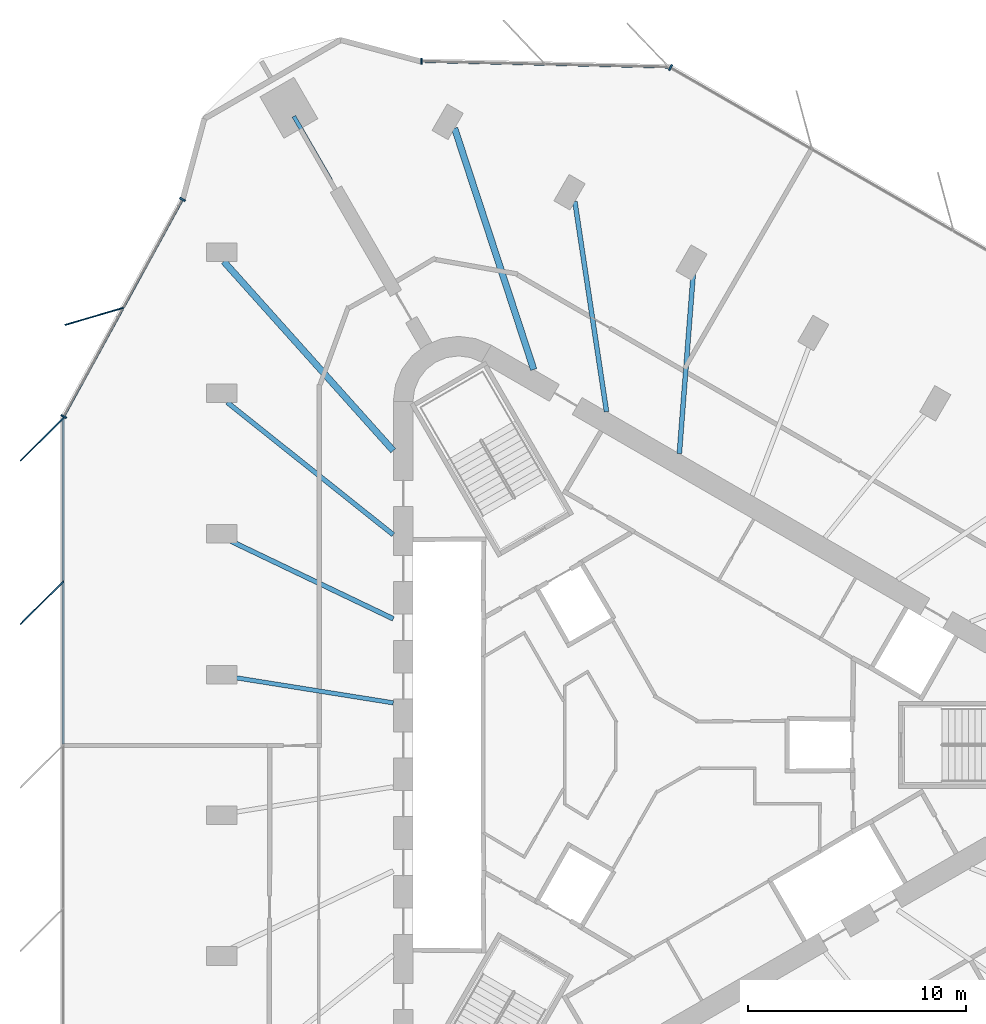
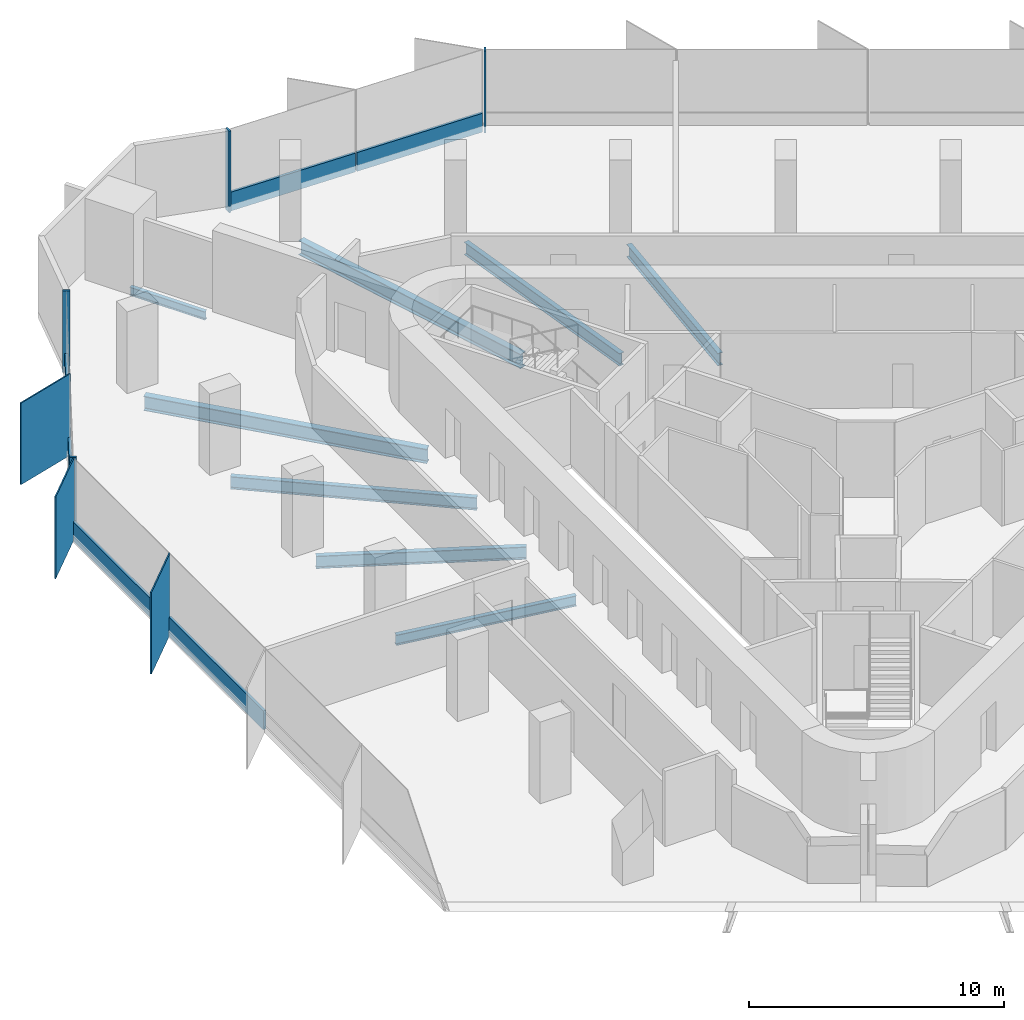
# One storey, part 4 of 12: 13 members, 8 beams, 4 elements without a shape of their own.
"""IFC4 building model written with IfcOpenShell, lengths in metres."""

from ifc_helpers import new_model, si_unit, direction, frame, origin, origin_2d, place, context, subcontext, project, spatial, rectangle, i_section, extrude, material, material_profile, profile_set, type_object, element, aggregate, save


model = new_model("IFC4")

# Units and contexts
model_context = context("Model", 3, precision=1e-05, world=origin(), true_north=direction((0.0, 1.0)))
body_context = subcontext(model_context, "Body", "Model", "MODEL_VIEW")
ifc_project = project(units=[si_unit("LENGTHUNIT", "METRE"), si_unit("AREAUNIT", "SQUARE_METRE"), si_unit("VOLUMEUNIT", "CUBIC_METRE"), si_unit("PLANEANGLEUNIT", "RADIAN"), si_unit("MASSUNIT", "GRAM", prefix="KILO")], contexts=[model_context])

# Site, building, storey
site_placement = place(None, origin())
site = spatial("IfcSite", under=ifc_project, at=site_placement, CompositionType="ELEMENT")
building_placement = place(site_placement, origin())
building = spatial("IfcBuilding", under=site, at=building_placement, Name="Tanit Gate Tower", CompositionType="ELEMENT")
storey_placement = place(building_placement, frame((0.0, 0.0, 333.800048828125)))
storey = spatial("IfcBuildingStorey", under=building, at=storey_placement, Name="L75", CompositionType="ELEMENT", Elevation=333.800048828125)

# Curtain wall, member
ifc_material_1 = material(Name="Aluminium bronze anodised and glass", Category="aluminium")
curtain_wall_type = type_object("IfcCurtainWallType", Name="Curtain wall typical high", PredefinedType="NOTDEFINED", material=ifc_material_1)
curtain_wall_1_placement = place(storey_placement, origin())
curtain_wall_1 = element("IfcCurtainWall", 1, at=curtain_wall_1_placement, inside=storey, type_object=curtain_wall_type, Name="Curtain wall L75 W1", PredefinedType="NOTDEFINED")
ifc_material_2 = material(Name="Aluminium bronze anodised", Category="aluminium")
ifc_material_profile_1 = material_profile(ifc_material_2, rectangle(XDim=2.800048828125, YDim=0.055908203125, at=origin_2d()), Name="56x2800 bronze fin mullion")
ifc_profile_set_1 = profile_set([ifc_material_profile_1], Name="Aluminium bronze anodised")
member_type_1 = type_object("IfcMemberType", Name="FIN MULLION 56x2800 bronze", PredefinedType="MULLION", material=ifc_profile_set_1)
member_1_placement = place(storey_placement, frame((-25.835693359375, 19.67919921875, -0.300048828125), z_axis=(0.0, 0.0, 1.0), x_axis=(0.959706253462, 0.281005172666, 0.0)))
member_1 = element("IfcMember", 2, at=member_1_placement, type_object=member_type_1, Name="Fin mullion L75 W1.2", PredefinedType="MULLION", context=body_context, shape_type="SweptSolid", body=[
    extrude(rectangle(XDim=2.800048828125, YDim=0.055908203125, at=origin_2d()), origin(), (0.0, 0.0, 1.0), 3.89990234375),
])

# Curtain wall, members
curtain_wall_2_placement = place(storey_placement, origin())
curtain_wall_2 = element("IfcCurtainWall", 3, at=curtain_wall_2_placement, inside=storey, type_object=curtain_wall_type, Name="Curtain wall L75 W2", PredefinedType="NOTDEFINED")
member_2_placement = place(storey_placement, frame((-28.232666015625, 14.0322265625, -0.300048828125), z_axis=(0.0, 0.0, 1.0), x_axis=(0.707155809403, 0.707057749571, 0.0)))
member_2 = element("IfcMember", 4, at=member_2_placement, type_object=member_type_1, Name="Fin mullion L75 W2.1", PredefinedType="MULLION", context=body_context, shape_type="SweptSolid", body=[
    extrude(rectangle(XDim=2.800048828125, YDim=0.055908203125, at=origin_2d()), origin(), (0.0, 0.0, 1.0), 3.89990234375),
])
member_3_placement = place(storey_placement, frame((-28.233154296875, 6.528076171875, -0.300048828125), z_axis=(0.0, 0.0, 1.0), x_axis=(0.707155809403, 0.707057749571, 0.0)))
member_3 = element("IfcMember", 5, at=member_3_placement, type_object=member_type_1, Name="Fin mullion L75 W2.2", PredefinedType="MULLION", context=body_context, shape_type="SweptSolid", body=[
    extrude(rectangle(XDim=2.800048828125, YDim=0.055908203125, at=origin_2d()), origin(), (0.0, 0.0, 1.0), 3.89990234375),
])

# Curtain wall, member
curtain_wall_3_placement = place(storey_placement, origin())
curtain_wall_3 = element("IfcCurtainWall", 6, at=curtain_wall_3_placement, inside=storey, type_object=curtain_wall_type, Name="Curtain wall L75 NE2", PredefinedType="NOTDEFINED")
ifc_material_3 = material(Name="Aluminium bronze anodised", Category="aluminium")
ifc_material_profile_2 = material_profile(ifc_material_3, rectangle(XDim=0.280029296875, YDim=0.080078125, at=origin_2d()), Name="80x280 bronze mullion")
ifc_profile_set_2 = profile_set([ifc_material_profile_2], Name="Aluminium bronze anodised")
member_type_2 = type_object("IfcMemberType", Name="Mullion 80x280 typical high", PredefinedType="MULLION", material=ifc_profile_set_2)
member_4_placement = place(storey_placement, frame((0.632080078125, 31.11083984375, -0.300048828125), z_axis=(0.0, 0.0, 1.0), x_axis=(-0.500060047936, -0.865990732317, 0.0)))
member_4 = element("IfcMember", 7, at=member_4_placement, type_object=member_type_2, Name="Mullion L75 NE2.5", PredefinedType="MULLION", context=body_context, shape_type="SweptSolid", body=[
    extrude(rectangle(XDim=0.280029296875, YDim=0.080078125, at=origin_2d()), origin(), (0.0, 0.0, 1.0), 3.89990234375),
])
aggregate(curtain_wall_3, [member_4])

curtain_wall_4_placement = place(storey_placement, origin())
curtain_wall_4 = element("IfcCurtainWall", 8, at=curtain_wall_4_placement, inside=storey, type_object=curtain_wall_type, Name="Curtain wall L75 NE3", PredefinedType="NOTDEFINED")
member_5_placement = place(storey_placement, frame((-10.802490234375, 31.3916015625, -0.300048828125), z_axis=(0.0, 0.0, 1.0), x_axis=(-0.022879847229, -0.999738222032, 0.0)))
member_5 = element("IfcMember", 9, at=member_5_placement, type_object=member_type_2, Name="Mullion L75 NE3.3", PredefinedType="MULLION", context=body_context, shape_type="SweptSolid", body=[
    extrude(rectangle(XDim=0.280029296875, YDim=0.080078125, at=origin_2d()), origin(), (0.0, 0.0, 1.0), 3.89990234375),
])

# Member
member_6_placement = place(storey_placement, frame((-21.78466796875, 25.051025390625, -0.300048828125), z_axis=(0.0, 0.0, 1.0), x_axis=(0.877315462911, -0.47991413663, 0.0)))
member_6 = element("IfcMember", 10, at=member_6_placement, type_object=member_type_2, Name="Mullion L75 W1.1", PredefinedType="MULLION", context=body_context, shape_type="SweptSolid", body=[
    extrude(rectangle(XDim=0.280029296875, YDim=0.080078125, at=origin_2d()), origin(), (0.0, 0.0, 1.0), 3.89990234375),
])

member_7_placement = place(storey_placement, frame((-27.237548828125, 15.0830078125, -0.300048828125), z_axis=(0.0, 0.0, 1.0), x_axis=(0.877315462911, -0.47991413663, 0.0)))
member_7 = element("IfcMember", 11, at=member_7_placement, type_object=member_type_2, Name="Mullion L75 W1.3", PredefinedType="MULLION", context=body_context, shape_type="SweptSolid", body=[
    extrude(rectangle(XDim=0.280029296875, YDim=0.080078125, at=origin_2d()), origin(), (0.0, 0.0, 1.0), 3.89990234375),
])

# Beams
ifc_material_4 = material(Name="Steel S355", Category="steel")
ifc_material_profile_3 = material_profile(ifc_material_4, i_section(OverallWidth=0.300048828125, OverallDepth=0.68994140625, WebThickness=0.014404296875, FlangeThickness=0.027099609375, FilletRadius=0.027099609375, at=origin_2d()), Name="HEA 700")
ifc_profile_set_3 = profile_set([ifc_material_profile_3], Name="Steel S355")
beam_type_1 = type_object("IfcBeamType", Name="RADIAL GIRDER HEA 700 S355", PredefinedType="BEAM", material=ifc_profile_set_3)
beam_1_placement = place(storey_placement, frame((-9.283203125, 28.318359375, -0.64501953125), z_axis=(0.311519991774, -0.950239598588, 0.0), x_axis=(0.950239598588, 0.311519991774, 0.0)))
element("IfcBeam", 12, at=beam_1_placement, inside=storey, type_object=beam_type_1, Name="RADIAL GIRDER", PredefinedType="BEAM", context=body_context, shape_type="SweptSolid", body=[
    extrude(i_section(OverallWidth=0.300048828125, OverallDepth=0.68994140625, WebThickness=0.014404296875, FlangeThickness=0.027099609375, FilletRadius=0.027099609375, at=origin_2d()), origin(), (0.0, 0.0, 1.0), 11.662353515625),
])
beam_2_placement = place(storey_placement, frame((-19.8828125, 22.198486328125, -0.64501953125), z_axis=(0.667183957843, -0.744892989896, 0.0), x_axis=(0.744892989896, 0.667183957843, 0.0)))
element("IfcBeam", 13, at=beam_2_placement, inside=storey, type_object=beam_type_1, Name="RADIAL GIRDER", PredefinedType="BEAM", context=body_context, shape_type="SweptSolid", body=[
    extrude(i_section(OverallWidth=0.300048828125, OverallDepth=0.68994140625, WebThickness=0.014404296875, FlangeThickness=0.027099609375, FilletRadius=0.027099609375, at=origin_2d()), origin(), (0.0, 0.0, 1.0), 11.662109375),
])
ifc_material_5 = material(Name="Steel S355", Category="steel")
ifc_material_profile_4 = material_profile(ifc_material_5, i_section(OverallWidth=0.179931640625, OverallDepth=0.39990234375, WebThickness=0.008544921875, FlangeThickness=0.013427734375, FilletRadius=0.02099609375, at=origin_2d()), Name="IPE 400")
ifc_profile_set_4 = profile_set([ifc_material_profile_4], Name="Steel S355")
beam_type_2 = type_object("IfcBeamType", Name="RADIAL GIRDER IPE 400 S355", PredefinedType="BEAM", material=ifc_profile_set_4)
beam_3_placement = place(storey_placement, frame((-16.66748046875, 28.868896484375, -0.5), z_axis=(0.500041741429, -0.866001303018, 0.0), x_axis=(0.866001303018, 0.500041741429, 0.0)))
element("IfcBeam", 14, at=beam_3_placement, inside=storey, type_object=beam_type_2, Name="RADIAL GIRDER", PredefinedType="BEAM", context=body_context, shape_type="SweptSolid", body=[
    extrude(i_section(OverallWidth=0.179931640625, OverallDepth=0.39990234375, WebThickness=0.008544921875, FlangeThickness=0.013427734375, FilletRadius=0.02099609375, at=origin_2d()), origin(), (0.0, 0.0, 1.0), 3.397705078125),
])
ifc_material_6 = material(Name="Steel S355", Category="steel")
ifc_material_profile_5 = material_profile(ifc_material_6, i_section(OverallWidth=0.199951171875, OverallDepth=0.5, WebThickness=0.01025390625, FlangeThickness=0.01611328125, FilletRadius=0.02099609375, at=origin_2d()), Name="IPE 500")
ifc_profile_set_5 = profile_set([ifc_material_profile_5], Name="Steel S355")
beam_type_3 = type_object("IfcBeamType", Name="RADIAL GIRDER IPE 500 S355", PredefinedType="BEAM", material=ifc_profile_set_5)
beam_4_placement = place(storey_placement, frame((-19.563720703125, 3.120361328125, -0.550048828125), z_axis=(0.987516531299, -0.157515397379, 0.0), x_axis=(0.157515397379, 0.987516531299, 0.0)))
element("IfcBeam", 15, at=beam_4_placement, inside=storey, type_object=beam_type_3, Name="RADIAL GIRDER", PredefinedType="BEAM", context=body_context, shape_type="SweptSolid", body=[
    extrude(i_section(OverallWidth=0.199951171875, OverallDepth=0.5, WebThickness=0.01025390625, FlangeThickness=0.01611328125, FilletRadius=0.02099609375, at=origin_2d()), origin(), (0.0, 0.0, 1.0), 7.555908203125),
])
ifc_material_7 = material(Name="Steel S355", Category="steel")
ifc_material_profile_6 = material_profile(ifc_material_7, i_section(OverallWidth=0.219970703125, OverallDepth=0.60009765625, WebThickness=0.011962890625, FlangeThickness=0.01904296875, FilletRadius=0.02392578125, at=origin_2d()), Name="IPE 600")
ifc_profile_set_6 = profile_set([ifc_material_profile_6], Name="Steel S355")
beam_type_4 = type_object("IfcBeamType", Name="RADIAL GIRDER IPE 600 S355", PredefinedType="BEAM", material=ifc_profile_set_6)
beam_5_placement = place(storey_placement, frame((1.675048828125, 21.623046875, -0.60009765625), z_axis=(-0.077240429266, -0.997012495452, 0.0), x_axis=(0.997012495452, -0.077240429266, 0.0)))
element("IfcBeam", 16, at=beam_5_placement, inside=storey, type_object=beam_type_4, Name="RADIAL GIRDER", PredefinedType="BEAM", context=body_context, shape_type="SweptSolid", body=[
    extrude(i_section(OverallWidth=0.219970703125, OverallDepth=0.60009765625, WebThickness=0.011962890625, FlangeThickness=0.01904296875, FilletRadius=0.02392578125, at=origin_2d()), origin(), (0.0, 0.0, 1.0), 8.271728515625),
])
beam_6_placement = place(storey_placement, frame((-3.76123046875, 24.95458984375, -0.60009765625), z_axis=(0.1490500566, -0.988829651976, 0.0), x_axis=(0.988829651976, 0.1490500566, 0.0)))
element("IfcBeam", 17, at=beam_6_placement, inside=storey, type_object=beam_type_4, Name="RADIAL GIRDER", PredefinedType="BEAM", context=body_context, shape_type="SweptSolid", body=[
    extrude(i_section(OverallWidth=0.219970703125, OverallDepth=0.60009765625, WebThickness=0.011962890625, FlangeThickness=0.01904296875, FilletRadius=0.02392578125, at=origin_2d()), origin(), (0.0, 0.0, 1.0), 9.75732421875),
])
beam_7_placement = place(storey_placement, frame((-19.730712890625, 15.734619140625, -0.60009765625), z_axis=(0.781827225561, -0.623495139814, 0.0), x_axis=(0.623495139814, 0.781827225561, 0.0)))
element("IfcBeam", 18, at=beam_7_placement, inside=storey, type_object=beam_type_4, Name="RADIAL GIRDER", PredefinedType="BEAM", context=body_context, shape_type="SweptSolid", body=[
    extrude(i_section(OverallWidth=0.219970703125, OverallDepth=0.60009765625, WebThickness=0.011962890625, FlangeThickness=0.01904296875, FilletRadius=0.02392578125, at=origin_2d()), origin(), (0.0, 0.0, 1.0), 9.757568359375),
])
beam_8_placement = place(storey_placement, frame((-19.563720703125, 9.36083984375, -0.60009765625), z_axis=(0.902054789369, -0.431621543688, 0.0), x_axis=(0.431621543688, 0.902054789369, 0.0)))
element("IfcBeam", 19, at=beam_8_placement, inside=storey, type_object=beam_type_4, Name="RADIAL GIRDER", PredefinedType="BEAM", context=body_context, shape_type="SweptSolid", body=[
    extrude(i_section(OverallWidth=0.219970703125, OverallDepth=0.60009765625, WebThickness=0.011962890625, FlangeThickness=0.01904296875, FilletRadius=0.02392578125, at=origin_2d()), origin(), (0.0, 0.0, 1.0), 8.27197265625),
])

# Member
ifc_material_8 = material(Name="Aluminium bronze anodised", Category="aluminium")
ifc_material_profile_7 = material_profile(ifc_material_8, rectangle(XDim=0.1201171875, YDim=0.89990234375, at=origin_2d()), Name="120x900 bronze transom")
ifc_profile_set_7 = profile_set([ifc_material_profile_7], Name="Aluminium bronze anodised")
member_type_3 = type_object("IfcMemberType", Name="Transom 120x900 typical high", PredefinedType="USERDEFINED", material=ifc_profile_set_7)
member_8_placement = place(storey_placement, frame((0.517333984375, 31.132568359375, 0.14990234375), z_axis=(-0.999738154702, 0.022882788997, 0.0), x_axis=(-0.022882788997, -0.999738154702, 0.0)))
member_8 = element("IfcMember", 20, at=member_8_placement, type_object=member_type_3, Name="Transom L75 NE3.1", ObjectType="TRANSOM", PredefinedType="USERDEFINED", context=body_context, shape_type="SweptSolid", body=[
    extrude(rectangle(XDim=0.1201171875, YDim=0.89990234375, at=origin_2d()), origin(), (0.0, 0.0, 1.0), 5.601318359375),
])

member_9_placement = place(storey_placement, frame((-5.16259765625, 31.2626953125, 0.14990234375), z_axis=(-0.999738154702, 0.022882788997, 0.0), x_axis=(-0.022882788997, -0.999738154702, 0.0)))
member_9 = element("IfcMember", 21, at=member_9_placement, type_object=member_type_3, Name="Transom L75 NE3.2", ObjectType="TRANSOM", PredefinedType="USERDEFINED", context=body_context, shape_type="SweptSolid", body=[
    extrude(rectangle(XDim=0.1201171875, YDim=0.89990234375, at=origin_2d()), origin(), (0.0, 0.0, 1.0), 5.601318359375),
])

aggregate(curtain_wall_4, [member_5, member_8, member_9])

member_10_placement = place(storey_placement, frame((-21.803955078125, 25.01611328125, 0.14990234375), z_axis=(-0.47989622135, -0.877325262792, 0.0), x_axis=(0.877325262792, -0.47989622135, 0.0)))
member_10 = element("IfcMember", 22, at=member_10_placement, type_object=member_type_3, Name="Transom L75 W1.1", ObjectType="TRANSOM", PredefinedType="USERDEFINED", context=body_context, shape_type="SweptSolid", body=[
    extrude(rectangle(XDim=0.1201171875, YDim=0.89990234375, at=origin_2d()), origin(), (0.0, 0.0, 1.0), 5.60107421875),
])

member_11_placement = place(storey_placement, frame((-24.5302734375, 20.031982421875, 0.14990234375), z_axis=(-0.479914573296, -0.877315224044, 0.0), x_axis=(0.877315224044, -0.479914573296, 0.0)))
member_11 = element("IfcMember", 23, at=member_11_placement, type_object=member_type_3, Name="Transom L75 W1.2", ObjectType="TRANSOM", PredefinedType="USERDEFINED", context=body_context, shape_type="SweptSolid", body=[
    extrude(rectangle(XDim=0.1201171875, YDim=0.89990234375, at=origin_2d()), origin(), (0.0, 0.0, 1.0), 5.60107421875),
])

aggregate(curtain_wall_1, [member_6, member_1, member_7, member_10, member_11])

member_12_placement = place(storey_placement, frame((-27.256591796875, 14.968017578125, 0.14990234375), z_axis=(-6.5770002e-05, -0.999999997837, 0.0), x_axis=(0.999999997837, -6.5770002e-05, 0.0)))
member_12 = element("IfcMember", 24, at=member_12_placement, type_object=member_type_3, Name="Transom L75 W2.1", ObjectType="TRANSOM", PredefinedType="USERDEFINED", context=body_context, shape_type="SweptSolid", body=[
    extrude(rectangle(XDim=0.1201171875, YDim=0.89990234375, at=origin_2d()), origin(), (0.0, 0.0, 1.0), 7.424072265625),
])

member_13_placement = place(storey_placement, frame((-27.257080078125, 7.464111328125, 0.14990234375), z_axis=(-9.8655003e-05, -0.999999995134, 0.0), x_axis=(0.999999995134, -9.8655003e-05, 0.0)))
member_13 = element("IfcMember", 25, at=member_13_placement, type_object=member_type_3, Name="Transom L75 W2.2", ObjectType="TRANSOM", PredefinedType="USERDEFINED", context=body_context, shape_type="SweptSolid", body=[
    extrude(rectangle(XDim=0.1201171875, YDim=0.89990234375, at=origin_2d()), origin(), (0.0, 0.0, 1.0), 7.424072265625),
])

aggregate(curtain_wall_2, [member_2, member_3, member_12, member_13])

save(model, "model.ifc")
